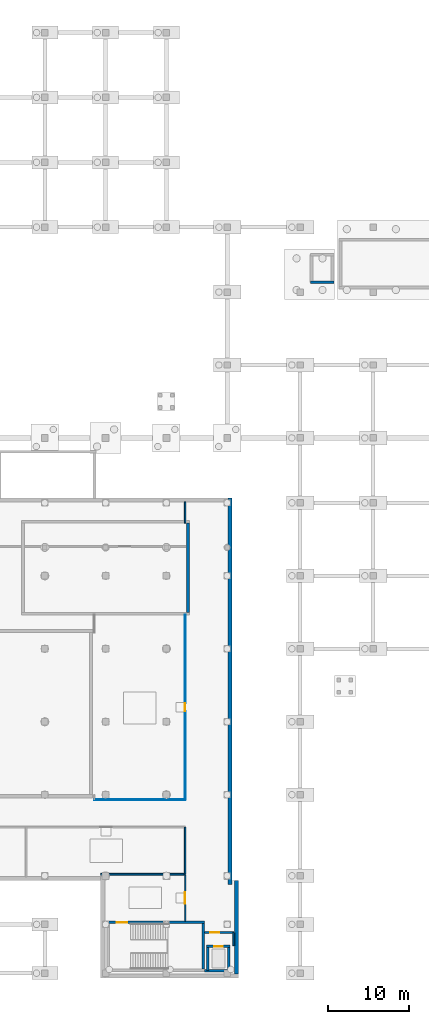
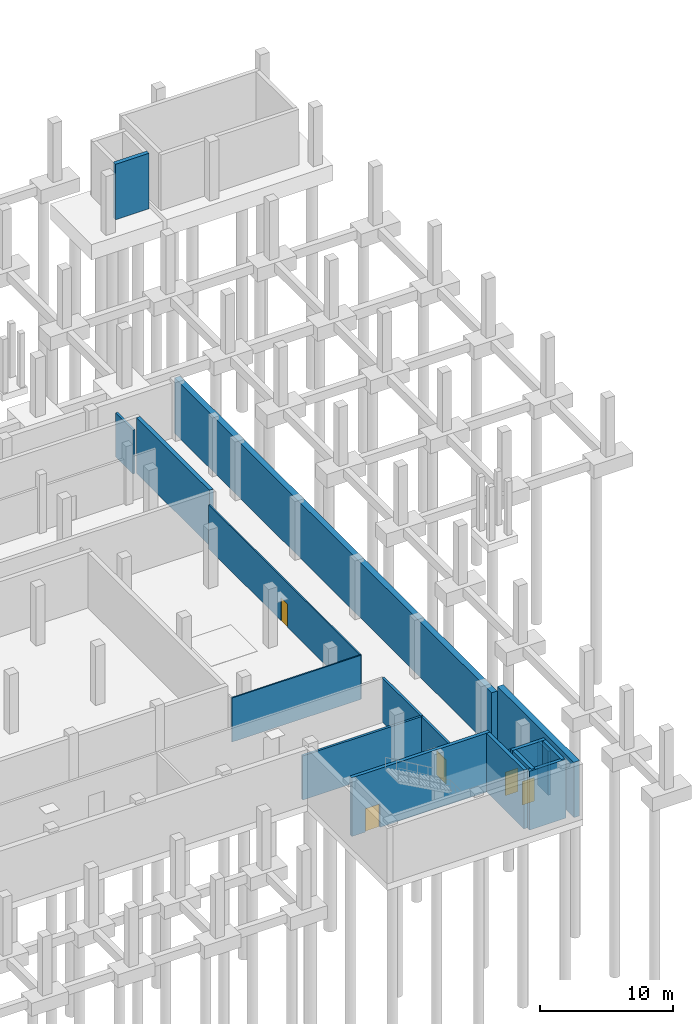
# One storey, part 15 of 19: 18 walls, 5 doors, 5 openings.
"""IFC4 building model written with IfcOpenShell, lengths in metres."""

from ifc_helpers import new_model, si_unit, direction, frame, frame_2d, origin, place, context, subcontext, project, spatial, rectangle, extrude, material, layer, layer_set, type_object, element, fill, save


model = new_model("IFC4")

# Units and contexts
model_context = context("Model", 3, precision=1e-05, world=origin(), true_north=direction((0.0, 1.0)))
body_context = subcontext(model_context, "Body", "Model", "MODEL_VIEW")
ifc_project = project(units=[si_unit("LENGTHUNIT", "METRE"), si_unit("AREAUNIT", "SQUARE_METRE"), si_unit("VOLUMEUNIT", "CUBIC_METRE"), si_unit("PLANEANGLEUNIT", "RADIAN"), si_unit("MASSUNIT", "GRAM", prefix="KILO")], contexts=[model_context])

# Site, building, storey
site_placement = place(None, origin())
site = spatial("IfcSite", under=ifc_project, at=site_placement, CompositionType="ELEMENT")
building_placement = place(site_placement, origin())
building = spatial("IfcBuilding", under=site, at=building_placement, Name="Vourika Railside Aquatics Centre", CompositionType="ELEMENT")
storey_placement = place(building_placement, frame((0.0, 0.0, -5.39990234375)))
storey = spatial("IfcBuildingStorey", under=building, at=storey_placement, Name="B1", CompositionType="ELEMENT", Elevation=-5.39990234375)

# Wall, opening, door
ifc_material_1 = material(Name="Concrete C40/50", Category="concrete")
ifc_layer_1 = layer(ifc_material_1, 0.300048828125, Name="WL-CORE")
ifc_layer_set_1 = layer_set([ifc_layer_1], Name="Concrete C40/50")
wall_type_1 = type_object("IfcWallType", Name="WL-CORE", PredefinedType="SHEAR", material=ifc_layer_set_1)
wall_1_placement = place(storey_placement, frame((138.199951171875, 6.25, 0.0), z_axis=(0.0, 0.0, 1.0), x_axis=(-1.0, 0.0, 0.0)))
wall_1 = element("IfcWall", 1, at=wall_1_placement, inside=storey, type_object=wall_type_1, Name="Protected Exit Stair Core ST06 North Wall (B1)", PredefinedType="SHEAR", context=body_context, shape_type="SweptSolid", body=[
    extrude(rectangle(XDim=12.0, YDim=0.300048828125, at=frame_2d((6.0, 0.0))), origin(), (0.0, 0.0, 1.0), 5.39990234375),
])
opening_1_placement = place(wall_1_placement, frame((9.550048828125, 0.0, 0.0)))
opening_1 = element("IfcOpeningElement", 2, at=opening_1_placement, cuts=wall_1, Name="Opening DF02", PredefinedType="OPENING", context=body_context, shape_type="SweptSolid", body=[
    extrude(rectangle(XDim=1.25, YDim=2.14990234375, at=frame_2d((0.625, 1.074951171875))), frame((0.0, 0.16015625, 0.0), z_axis=(0.0, -1.0, 0.0), x_axis=(1.0, 0.0, 0.0)), (0.0, 0.0, 1.0), 0.320068359375),
])
ifc_material_2 = material(Name="Fire-rated wide exit stair door")
door_type_1 = type_object("IfcDoorType", Name="DR-FD60-125", OperationType="NOTDEFINED", PredefinedType="DOOR", material=ifc_material_2)
door_1_placement = place(opening_1_placement, origin())
door_1 = element("IfcDoor", 3, at=door_1_placement, inside=storey, type_object=door_type_1, Name="Protected Exit Stair Core ST06 Enclosure Fire Door (B1)", OperationType="SINGLE_SWING_RIGHT", OverallHeight=2.14990234375, OverallWidth=1.25, PredefinedType="DOOR", context=body_context, shape_type="SweptSolid", body=[
    extrude(rectangle(XDim=1.25, YDim=2.14990234375, at=frame_2d((0.625, 1.074951171875))), frame((0.0, 0.02490234375, 0.0), z_axis=(0.0, -1.0, 0.0), x_axis=(1.0, 0.0, 0.0)), (0.0, 0.0, 1.0), 0.050048828125),
])
fill(opening_1, door_1)

# Walls
wall_2_placement = place(storey_placement, frame((138.050048828125, 0.5, 0.0), z_axis=(0.0, 0.0, 1.0), x_axis=(0.0, 1.0, 0.0)))
element("IfcWall", 4, at=wall_2_placement, inside=storey, type_object=wall_type_1, Name="Protected Exit Stair Core ST06 East Wall (B1)", PredefinedType="SHEAR", context=body_context, shape_type="SweptSolid", body=[
    extrude(rectangle(XDim=5.60009765625, YDim=0.300048828125, at=frame_2d((2.800048828125, 0.0))), origin(), (0.0, 0.0, 1.0), 5.39990234375),
])
wall_3_placement = place(storey_placement, frame((138.199951171875, 0.300048828125, 0.0), z_axis=(0.0, 0.0, 1.0), x_axis=(1.0, 0.0, 0.0)))
element("IfcWall", 5, at=wall_3_placement, inside=storey, type_object=wall_type_1, Name="Lift LP03 Shaft South Wall (B1)", PredefinedType="SHEAR", context=body_context, shape_type="SweptSolid", body=[
    extrude(rectangle(XDim=3.150146484375, YDim=0.300048828125, at=frame_2d((1.5751953125, 0.0))), origin(), (0.0, 0.0, 1.0), 5.39990234375),
])

# Wall, opening, door
wall_4_placement = place(storey_placement, frame((141.35009765625, 3.300048828125, 0.0), z_axis=(0.0, 0.0, 1.0), x_axis=(-1.0, 0.0, 0.0)))
wall_4 = element("IfcWall", 6, at=wall_4_placement, inside=storey, type_object=wall_type_1, Name="Lift LP03 Shaft North Wall (B1)", PredefinedType="SHEAR", context=body_context, shape_type="SweptSolid", body=[
    extrude(rectangle(XDim=2.900146484375, YDim=0.300048828125, at=frame_2d((1.4501953125, 0.0))), origin(), (0.0, 0.0, 1.0), 5.39990234375),
])
opening_2_placement = place(wall_4_placement, frame((0.925048828125, 0.0, 0.0)))
opening_2 = element("IfcOpeningElement", 7, at=opening_2_placement, cuts=wall_4, Name="Opening LD02", PredefinedType="OPENING", context=body_context, shape_type="SweptSolid", body=[
    extrude(rectangle(XDim=1.050048828125, YDim=2.14990234375, at=frame_2d((0.52490234375, 1.074951171875))), frame((0.0, 0.16015625, 0.0), z_axis=(0.0, -1.0, 0.0), x_axis=(1.0, 0.0, 0.0)), (0.0, 0.0, 1.0), 0.320068359375),
])
ifc_material_3 = material(Name="Stainless passenger lift landing door")
door_type_2 = type_object("IfcDoorType", Name="DR-LIFT-LD2", OperationType="DOUBLE_DOOR_SLIDING", PredefinedType="DOOR", material=ifc_material_3)
door_2_placement = place(opening_2_placement, origin())
door_2 = element("IfcDoor", 8, at=door_2_placement, inside=storey, type_object=door_type_2, Name="Lift LP03 Sliding Landing Door (B1)", OperationType="DOUBLE_DOOR_SLIDING", OverallHeight=2.14990234375, OverallWidth=1.050048828125, PredefinedType="DOOR", context=body_context, shape_type="SweptSolid", body=[
    extrude(rectangle(XDim=1.050048828125, YDim=2.14990234375, at=frame_2d((0.52490234375, 1.074951171875))), frame((0.0, 0.02490234375, 0.0), z_axis=(0.0, -1.0, 0.0), x_axis=(1.0, 0.0, 0.0)), (0.0, 0.0, 1.0), 0.050048828125),
])
fill(opening_2, door_2)

# Walls
for number, where, z_axis, x_axis, name in (
    (9, (138.60009765625, 3.300048828125, 0.0), (0.0, 0.0, 1.0), (0.0, -1.0, 0.0), "Lift LP03 Shaft West Wall (B1)"),
    (10, (141.199951171875, 0.300048828125, 0.0), (0.0, 0.0, 1.0), (0.0, 1.0, 0.0), "Lift LP03 Shaft East Wall (B1)"),
):
    element("IfcWall", number, at=place(storey_placement, frame(where, z_axis=z_axis, x_axis=x_axis)), inside=storey, type_object=wall_type_1, Name=name, PredefinedType="SHEAR", context=body_context, shape_type="SweptSolid", body=[
        extrude(rectangle(XDim=3.0, YDim=0.300048828125, at=frame_2d((1.5, 0.0))), origin(), (0.0, 0.0, 1.0), 5.39990234375),
    ])

# Wall, opening, door
ifc_material_4 = material(Name="Concrete C35/45", Category="concrete")
ifc_layer_2 = layer(ifc_material_4, 0.219970703125, Name="WL-FIRE")
ifc_layer_set_2 = layer_set([ifc_layer_2], Name="Concrete C35/45")
wall_type_2 = type_object("IfcWallType", Name="WL-FIRE", PredefinedType="SOLIDWALL", material=ifc_layer_set_2)
wall_5_placement = place(storey_placement, frame((138.199951171875, 5.0, 0.0), z_axis=(0.0, 0.0, 1.0), x_axis=(1.0, 0.0, 0.0)))
wall_5 = element("IfcWall", 11, at=wall_5_placement, inside=storey, type_object=wall_type_2, Name="Lift LP03 Lobby Corridor Fire Wall (B1)", PredefinedType="SOLIDWALL", context=body_context, shape_type="SweptSolid", body=[
    extrude(rectangle(XDim=3.60009765625, YDim=0.219970703125, at=frame_2d((1.800048828125, 0.0))), origin(), (0.0, 0.0, 1.0), 4.0498046875),
])
opening_3_placement = place(wall_5_placement, frame((0.699951171875, 0.0, 0.0)))
opening_3 = element("IfcOpeningElement", 12, at=opening_3_placement, cuts=wall_5, Name="Opening DF01", PredefinedType="OPENING", context=body_context, shape_type="SweptSolid", body=[
    extrude(rectangle(XDim=1.10009765625, YDim=2.14990234375, at=frame_2d((0.550048828125, 1.074951171875))), frame((0.0, 0.1201171875, 0.0), z_axis=(0.0, -1.0, 0.0), x_axis=(1.0, 0.0, 0.0)), (0.0, 0.0, 1.0), 0.239990234375),
])
ifc_material_5 = material(Name="Fire-rated steel and timber core door", Category="steel")
door_type_3 = type_object("IfcDoorType", Name="DR-FD60", OperationType="NOTDEFINED", PredefinedType="DOOR", material=ifc_material_5)
door_3_placement = place(opening_3_placement, origin())
door_3 = element("IfcDoor", 13, at=door_3_placement, inside=storey, type_object=door_type_3, Name="Lift LP03 Lobby Fire Door (B1)", OperationType="SINGLE_SWING_RIGHT", OverallHeight=2.14990234375, OverallWidth=1.10009765625, PredefinedType="DOOR", context=body_context, shape_type="SweptSolid", body=[
    extrude(rectangle(XDim=1.10009765625, YDim=2.14990234375, at=frame_2d((0.550048828125, 1.074951171875))), frame((0.0, 0.02490234375, 0.0), z_axis=(0.0, -1.0, 0.0), x_axis=(1.0, 0.0, 0.0)), (0.0, 0.0, 1.0), 0.050048828125),
])
fill(opening_3, door_3)

# Wall
wall_6_placement = place(storey_placement, frame((141.800048828125, 3.39990234375, 0.0), z_axis=(0.0, 0.0, 1.0), x_axis=(0.0, 1.0, 0.0)))
element("IfcWall", 14, at=wall_6_placement, inside=storey, type_object=wall_type_2, Name="Lift LP03 Lobby East Fire Wall (B1)", PredefinedType="SOLIDWALL", context=body_context, shape_type="SweptSolid", body=[
    extrude(rectangle(XDim=1.60009765625, YDim=0.219970703125, at=frame_2d((0.800048828125, 0.0))), origin(), (0.0, 0.0, 1.0), 4.0498046875),
])

# Wall, opening, door
ifc_material_6 = material(Name="Lightweight drylining partition")
ifc_layer_3 = layer(ifc_material_6, 0.1201171875, Name="WL-PART-120")
ifc_layer_set_3 = layer_set([ifc_layer_3], Name="Lightweight drylining partition")
wall_type_3 = type_object("IfcWallType", Name="WL-PART-120", PredefinedType="PARTITIONING", material=ifc_layer_set_3)
wall_7_placement = place(storey_placement, frame((135.800048828125, 44.169921875, 0.0), z_axis=(0.0, 0.0, 1.0), x_axis=(0.0, -1.0, 0.0)))
wall_7 = element("IfcWall", 15, at=wall_7_placement, inside=storey, type_object=wall_type_3, Name="Training and Leisure Pool Filtration Hall Partition 1", PredefinedType="PARTITIONING", context=body_context, shape_type="SweptSolid", body=[
    extrude(rectangle(XDim=22.77001953125, YDim=0.1201171875, at=frame_2d((11.385009765625, 0.0))), origin(), (0.0, 0.0, 1.0), 4.0498046875),
])
opening_4_placement = place(wall_7_placement, frame((10.885009765625, 0.0, 0.0)))
opening_4 = element("IfcOpeningElement", 16, at=opening_4_placement, cuts=wall_7, Name="Opening DI01", PredefinedType="OPENING", context=body_context, shape_type="SweptSolid", body=[
    extrude(rectangle(XDim=1.0, YDim=2.10009765625, at=frame_2d((0.5, 1.050048828125))), frame((0.0, 0.070068359375, 0.0), z_axis=(0.0, -1.0, 0.0), x_axis=(1.0, 0.0, 0.0)), (0.0, 0.0, 1.0), 0.14013671875),
])
ifc_material_7 = material(Name="Anodized aluminium and laminate door", Category="aluminium")
door_type_4 = type_object("IfcDoorType", Name="DR-INT-1000", OperationType="NOTDEFINED", PredefinedType="DOOR", material=ifc_material_7)
door_4_placement = place(opening_4_placement, origin())
door_4 = element("IfcDoor", 17, at=door_4_placement, inside=storey, type_object=door_type_4, Name="Training and Leisure Pool Filtration Hall Door", OperationType="SINGLE_SWING_LEFT", OverallHeight=2.10009765625, OverallWidth=1.0, PredefinedType="DOOR", context=body_context, shape_type="SweptSolid", body=[
    extrude(rectangle(XDim=1.0, YDim=2.10009765625, at=frame_2d((0.5, 1.050048828125))), frame((0.0, 0.02490234375, 0.0), z_axis=(0.0, -1.0, 0.0), x_axis=(1.0, 0.0, 0.0)), (0.0, 0.0, 1.0), 0.050048828125),
])
fill(opening_4, door_4)

# Walls
wall_8_placement = place(storey_placement, frame((135.800048828125, 21.39990234375, 0.0), z_axis=(0.0, 0.0, 1.0), x_axis=(-1.0, 0.0, 0.0)))
element("IfcWall", 18, at=wall_8_placement, inside=storey, type_object=wall_type_3, Name="Training and Leisure Pool Filtration Hall Partition 2", PredefinedType="PARTITIONING", context=body_context, shape_type="SweptSolid", body=[
    extrude(rectangle(XDim=11.199951171875, YDim=0.1201171875, at=frame_2d((5.60009765625, 0.0))), origin(), (0.0, 0.0, 1.0), 4.0498046875),
])
ifc_material_8 = material(Name="Acoustic masonry blockwork", Category="masonry")
ifc_layer_4 = layer(ifc_material_8, 0.199951171875, Name="WL-PART-200")
ifc_layer_set_4 = layer_set([ifc_layer_4], Name="Acoustic masonry blockwork")
wall_type_4 = type_object("IfcWallType", Name="WL-PART-200", PredefinedType="PARTITIONING", material=ifc_layer_set_4)
wall_9_placement = place(storey_placement, frame((135.800048828125, 18.0, 0.0), z_axis=(0.0, 0.0, 1.0), x_axis=(0.0, -1.0, 0.0)))
element("IfcWall", 19, at=wall_9_placement, inside=storey, type_object=wall_type_4, Name="Aquatic Maintenance Equipment Store Partition 2", PredefinedType="PARTITIONING", context=body_context, shape_type="SweptSolid", body=[
    extrude(rectangle(XDim=5.800048828125, YDim=0.199951171875, at=frame_2d((2.89990234375, 0.0))), origin(), (0.0, 0.0, 1.0), 4.0498046875),
])
wall_10_placement = place(storey_placement, frame((135.800048828125, 12.199951171875, 0.0), z_axis=(0.0, 0.0, 1.0), x_axis=(-1.0, 0.0, 0.0)))
element("IfcWall", 20, at=wall_10_placement, inside=storey, type_object=wall_type_4, Name="Aquatic Maintenance Equipment Store Partition 4", PredefinedType="PARTITIONING", context=body_context, shape_type="SweptSolid", body=[
    extrude(rectangle(XDim=10.400146484375, YDim=0.199951171875, at=frame_2d((5.2001953125, 0.0))), origin(), (0.0, 0.0, 1.0), 4.0498046875),
])
wall_11_placement = place(storey_placement, frame((135.800048828125, 58.1201171875, 0.0), z_axis=(0.0, 0.0, 1.0), x_axis=(0.0, -1.0, 0.0)))
element("IfcWall", 21, at=wall_11_placement, inside=storey, type_object=wall_type_4, Name="Natatorium Dehumidification AHU Plant East Partition 3", PredefinedType="PARTITIONING", context=body_context, shape_type="SweptSolid", body=[
    extrude(rectangle(XDim=2.6201171875, YDim=0.199951171875, at=frame_2d((1.31005859375, 0.0))), origin(), (0.0, 0.0, 1.0), 4.0498046875),
])

# Wall, opening, door
wall_12_placement = place(storey_placement, frame((135.800048828125, 12.1201171875, 0.0), z_axis=(0.0, 0.0, 1.0), x_axis=(0.0, -1.0, 0.0)))
wall_12 = element("IfcWall", 22, at=wall_12_placement, inside=storey, type_object=wall_type_4, Name="South-East Standby Pump and Riser Room Partition 1", PredefinedType="PARTITIONING", context=body_context, shape_type="SweptSolid", body=[
    extrude(rectangle(XDim=5.740234375, YDim=0.199951171875, at=frame_2d((2.8701171875, 0.0))), origin(), (0.0, 0.0, 1.0), 4.0498046875),
])
opening_5_placement = place(wall_12_placement, frame((2.169921875, 0.0, 0.0)))
opening_5 = element("IfcOpeningElement", 23, at=opening_5_placement, cuts=wall_12, Name="Opening DP01", PredefinedType="OPENING", context=body_context, shape_type="SweptSolid", body=[
    extrude(rectangle(XDim=1.39990234375, YDim=2.199951171875, at=frame_2d((0.699951171875, 1.10009765625))), frame((0.0, 0.10986328125, 0.0), z_axis=(0.0, -1.0, 0.0), x_axis=(1.0, 0.0, 0.0)), (0.0, 0.0, 1.0), 0.219970703125),
])
ifc_material_9 = material(Name="Fire-rated plant room double door")
door_type_5 = type_object("IfcDoorType", Name="DR-PLT-1400D", OperationType="DOUBLE_DOOR_SINGLE_SWING", PredefinedType="DOOR", material=ifc_material_9)
door_5_placement = place(opening_5_placement, origin())
door_5 = element("IfcDoor", 24, at=door_5_placement, inside=storey, type_object=door_type_5, Name="South-East Standby Pump and Riser Room Door", OperationType="DOUBLE_DOOR_SINGLE_SWING", OverallHeight=2.199951171875, OverallWidth=1.39990234375, PredefinedType="DOOR", context=body_context, shape_type="SweptSolid", body=[
    extrude(rectangle(XDim=1.39990234375, YDim=2.199951171875, at=frame_2d((0.699951171875, 1.10009765625))), frame((0.0, 0.02490234375, 0.0), z_axis=(0.0, -1.0, 0.0), x_axis=(1.0, 0.0, 0.0)), (0.0, 0.0, 1.0), 0.050048828125),
])
fill(opening_5, door_5)

# Walls
ifc_layer_5 = layer(ifc_material_1, 0.5, Name="WL-RET-500")
ifc_layer_set_5 = layer_set([ifc_layer_5], Name="Concrete C40/50")
wall_type_5 = type_object("IfcWallType", Name="WL-RET-500", PredefinedType="USERDEFINED", material=ifc_layer_set_5)
wall_13_placement = place(storey_placement, frame((141.35009765625, 58.60009765625, 0.0), z_axis=(0.0, 0.0, 1.0), x_axis=(0.0, -1.0, 0.0)))
element("IfcWall", 25, at=wall_13_placement, inside=storey, type_object=wall_type_5, Name="Basement Retaining Wall RW-18", ObjectType="RETAININGWALL", PredefinedType="USERDEFINED", context=body_context, shape_type="SweptSolid", body=[
    extrude(rectangle(XDim=47.7001953125, YDim=0.5, at=frame_2d((23.85009765625, 0.0))), origin(), (0.0, 0.0, 1.0), 5.079833984375),
])
wall_14_placement = place(storey_placement, frame((142.14990234375, 11.39990234375, 0.0), z_axis=(0.0, 0.0, 1.0), x_axis=(0.0, -1.0, 0.0)))
element("IfcWall", 26, at=wall_14_placement, inside=storey, type_object=wall_type_5, Name="Basement Retaining Wall RW-19", ObjectType="RETAININGWALL", PredefinedType="USERDEFINED", context=body_context, shape_type="SweptSolid", body=[
    extrude(rectangle(XDim=11.5, YDim=0.5, at=frame_2d((5.75, 0.0))), origin(), (0.0, 0.0, 1.0), 5.079833984375),
])
ifc_layer_6 = layer(ifc_material_1, 0.35009765625, Name="WL-TANK-350")
ifc_layer_set_6 = layer_set([ifc_layer_6], Name="Concrete C40/50")
wall_type_6 = type_object("IfcWallType", Name="WL-TANK-350", PredefinedType="SOLIDWALL", material=ifc_layer_set_6)
wall_15_placement = place(storey_placement, frame((151.25, 85.199951171875, 0.0), z_axis=(0.0, 0.0, 1.0), x_axis=(1.0, 0.0, 0.0)))
element("IfcWall", 27, at=wall_15_placement, inside=storey, type_object=wall_type_6, Name="Substructure Shaft Foundation Wall LP01-S", PredefinedType="SOLIDWALL", context=body_context, shape_type="SweptSolid", body=[
    extrude(rectangle(XDim=2.89990234375, YDim=0.35009765625, at=frame_2d((1.449951171875, 0.0))), origin(), (0.0, 0.0, 1.0), 5.099853515625),
])
wall_16_placement = place(storey_placement, frame((136.175048828125, 44.5, 0.0), z_axis=(0.0, 0.0, 1.0), x_axis=(0.0, 1.0, 0.0)))
element("IfcWall", 28, at=wall_16_placement, inside=storey, type_object=wall_type_6, Name="Leisure Swim Lagoon Pool Tank Slab Wall E", PredefinedType="SOLIDWALL", context=body_context, shape_type="SweptSolid", body=[
    extrude(rectangle(XDim=11.0, YDim=0.35009765625, at=frame_2d((5.5, 0.0))), origin(), (0.0, 0.0, 1.0), 5.079833984375),
])

save(model, "model.ifc")
